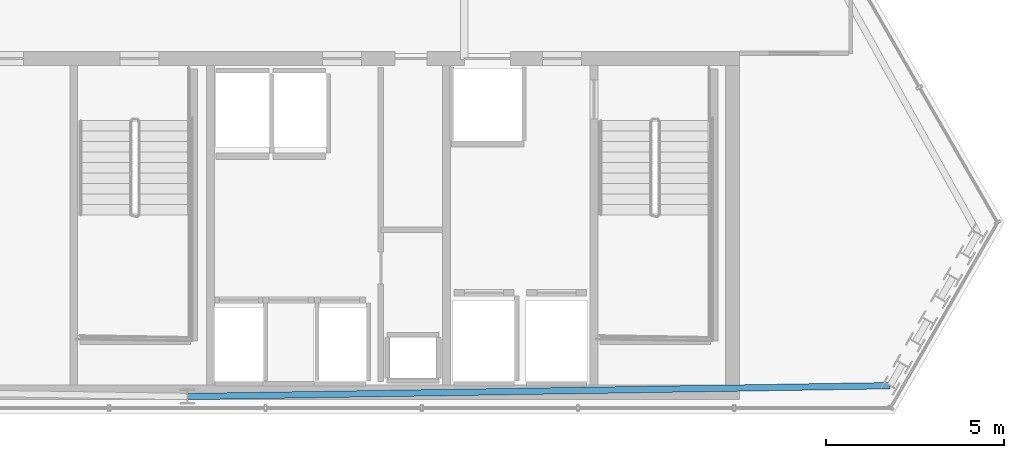
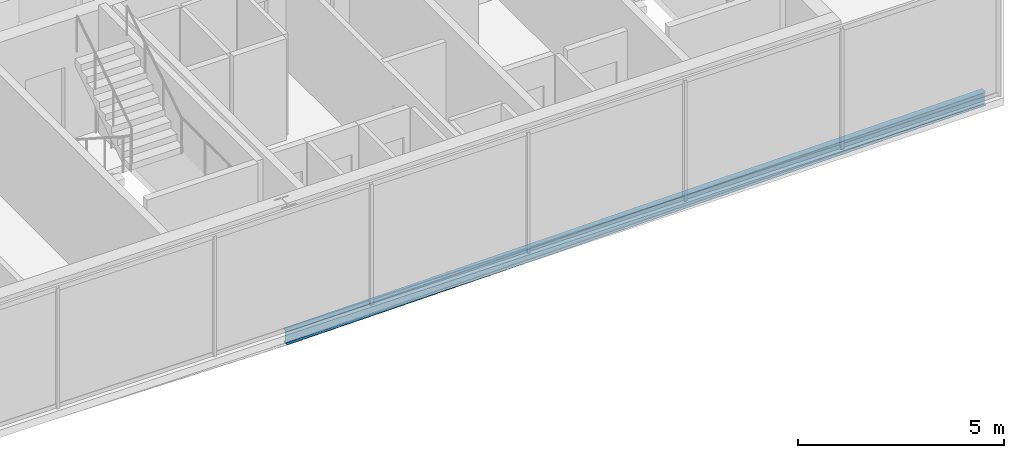
# One storey, part 18 of 32: 1 beam.
"""IFC4 building model written with IfcOpenShell, lengths in metres."""

from ifc_helpers import new_model, si_unit, direction, frame, origin, origin_2d, place, context, subcontext, project, spatial, i_section, extrude, material, material_profile, profile_set, type_object, element, save


model = new_model("IFC4")

# Units and contexts
model_context = context("Model", 3, precision=1e-05, world=origin(), true_north=direction((0.0, 1.0)))
body_context = subcontext(model_context, "Body", "Model", "MODEL_VIEW")
ifc_project = project(units=[si_unit("LENGTHUNIT", "METRE"), si_unit("AREAUNIT", "SQUARE_METRE"), si_unit("VOLUMEUNIT", "CUBIC_METRE"), si_unit("PLANEANGLEUNIT", "RADIAN"), si_unit("MASSUNIT", "GRAM", prefix="KILO")], contexts=[model_context])

# Site, building, storey
site_placement = place(None, origin())
site = spatial("IfcSite", under=ifc_project, at=site_placement, CompositionType="ELEMENT")
building_placement = place(site_placement, origin())
building = spatial("IfcBuilding", under=site, at=building_placement, Name="Ndaravel Arena Tower", CompositionType="ELEMENT")
storey_placement = place(building_placement, frame((0.0, 0.0, 256.0)))
storey = spatial("IfcBuildingStorey", under=building, at=storey_placement, Name="L62", CompositionType="ELEMENT", Elevation=256.0)

# Beam
ifc_material = material(Name="Steel S355", Category="steel")
ifc_material_profile = material_profile(ifc_material, i_section(OverallWidth=0.179931640625, OverallDepth=0.39990234375, WebThickness=0.008544921875, FlangeThickness=0.013427734375, FilletRadius=0.02099609375, at=origin_2d()), Name="IPE 400")
ifc_profile_set = profile_set([ifc_material_profile], Name="Steel S355")
beam_type = type_object("IfcBeamType", Name="BM-SPAN-IPE400", PredefinedType="SPANDREL", material=ifc_profile_set)
beam_placement = place(storey_placement, frame((42.0, 5.47998046875, -0.419921875), z_axis=(0.999880419685, 0.015464356762, 0.0), x_axis=(-0.015464356762, 0.999880419685, 0.0)))
element("IfcBeam", 1, at=beam_placement, inside=storey, type_object=beam_type, Name="L62 Perimeter Spandrel Beam SP-01", PredefinedType="SPANDREL", context=body_context, shape_type="SweptSolid", body=[
    extrude(i_section(OverallWidth=0.179931640625, OverallDepth=0.39990234375, WebThickness=0.008544921875, FlangeThickness=0.013427734375, FilletRadius=0.02099609375, at=origin_2d()), origin(), (0.0, 0.0, 1.0), 19.79736328125),
])

save(model, "model.ifc")
